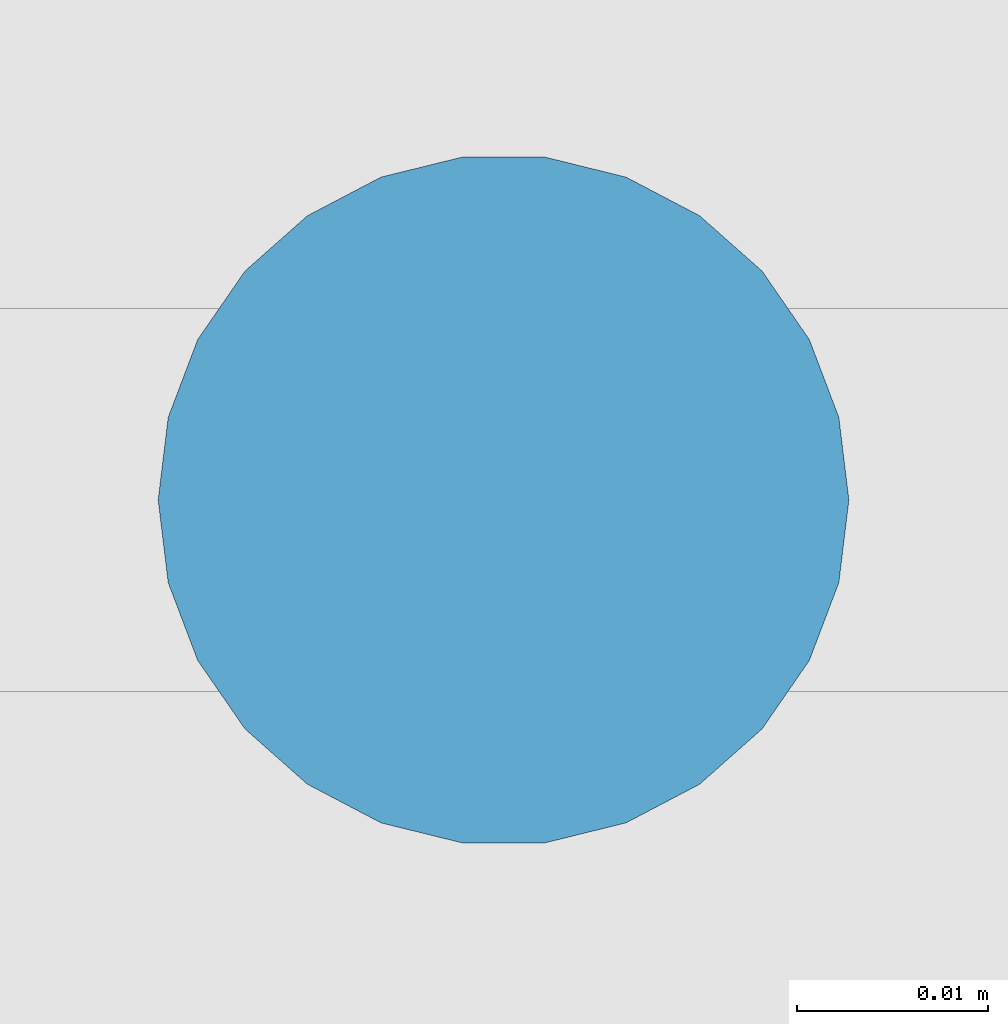
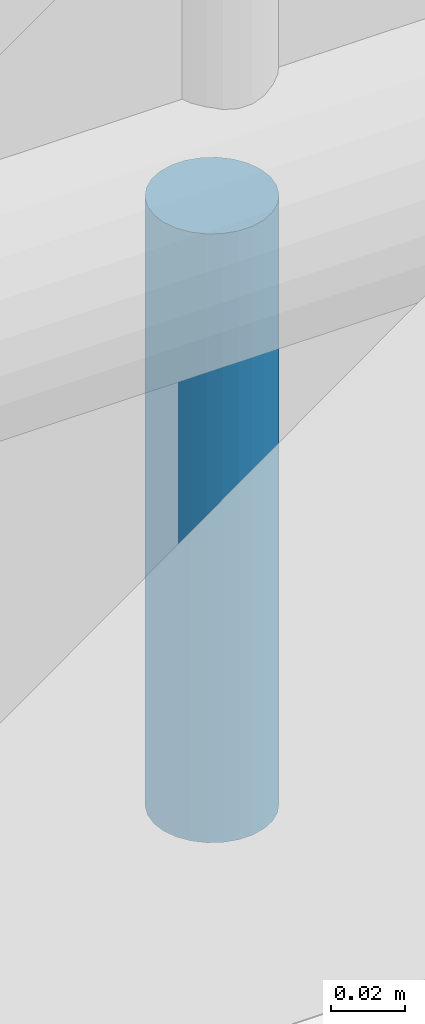
# One storey, part 235 of 321: 1 member.
"""IFC4 building model written with IfcOpenShell, lengths in metres."""

from ifc_helpers import new_model, si_unit, direction, frame, origin, origin_2d, place, context, subcontext, project, spatial, circle, extrude, material, material_profile, profile_set, type_object, element, save


model = new_model("IFC4")

# Units and contexts
model_context = context("Model", 3, precision=1e-05, world=origin(), true_north=direction((0.0, 1.0)))
body_context = subcontext(model_context, "Body", "Model", "MODEL_VIEW")
ifc_project = project(units=[si_unit("LENGTHUNIT", "METRE"), si_unit("AREAUNIT", "SQUARE_METRE"), si_unit("VOLUMEUNIT", "CUBIC_METRE"), si_unit("PLANEANGLEUNIT", "RADIAN"), si_unit("MASSUNIT", "GRAM", prefix="KILO")], contexts=[model_context])

# Site, building, storey
site_placement = place(None, origin())
site = spatial("IfcSite", under=ifc_project, at=site_placement, CompositionType="ELEMENT")
building_placement = place(site_placement, origin())
building = spatial("IfcBuilding", under=site, at=building_placement, Name="Ravi Spectrum Wholesale Market", CompositionType="ELEMENT")
storey_placement = place(building_placement, frame((0.0, 0.0, 10.800048828125)))
storey = spatial("IfcBuildingStorey", under=building, at=storey_placement, Name="L02", CompositionType="ELEMENT", Elevation=10.800048828125)

# Member
ifc_material = material(Name="Steel S355", Category="steel")
ifc_material_profile = material_profile(ifc_material, circle(Radius=0.01806640625, at=origin_2d()))
ifc_profile_set = profile_set([ifc_material_profile], Name="Steel S355")
member_type = type_object("IfcMemberType", Name="ROD 36 hanger", PredefinedType="STRUT", material=ifc_profile_set)
member_placement = place(storey_placement, frame((56.81689453125, 30.0, 0.0), z_axis=(0.0, 0.0, -1.0), x_axis=(1.0, 0.0, 0.0)))
element("IfcMember", 1, at=member_placement, inside=storey, type_object=member_type, Name="H1-MB-L02-1729", PredefinedType="STRUT", context=body_context, shape_type="SweptSolid", body=[
    extrude(circle(Radius=0.01806640625, at=origin_2d()), origin(), (0.0, 0.0, 1.0), 0.199951171875),
])

save(model, "model.ifc")
